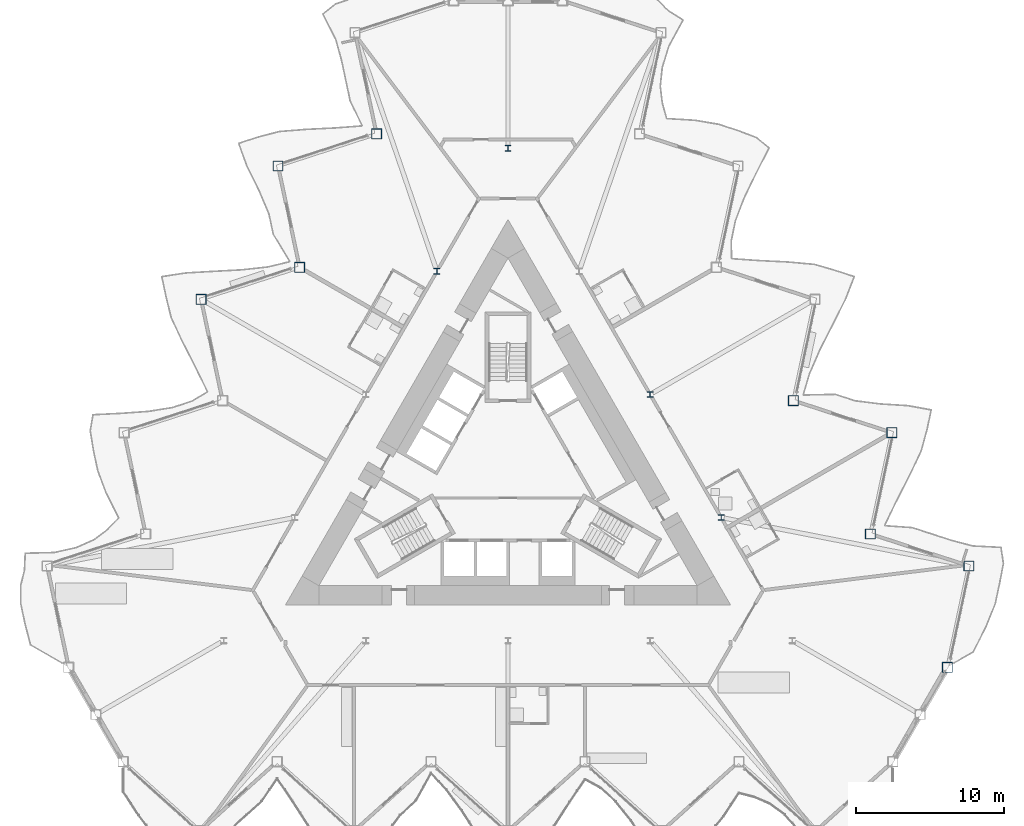
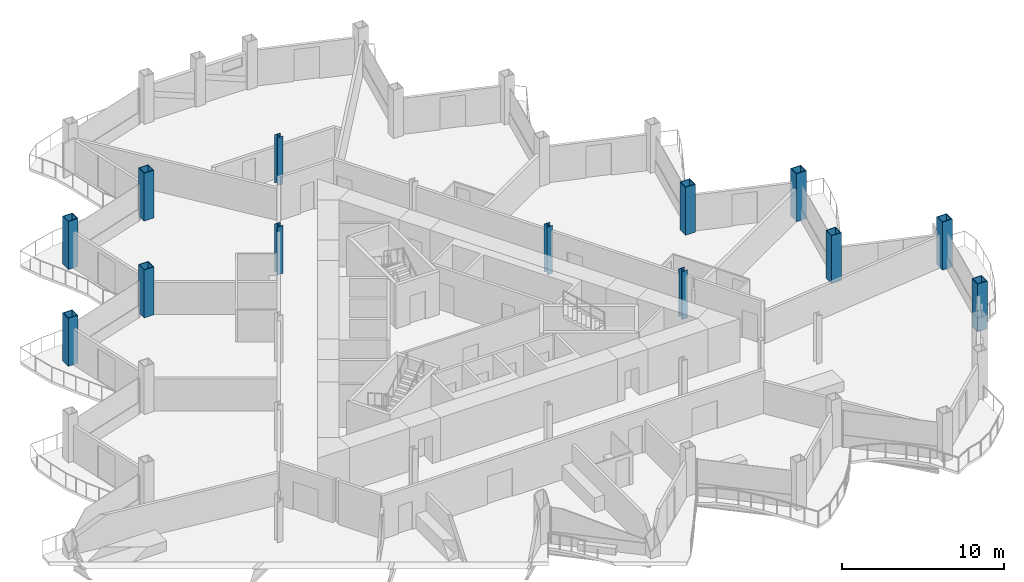
# One storey, part 2 of 24: 13 columns.
"""IFC4 building model written with IfcOpenShell, lengths in metres."""

from ifc_helpers import new_model, si_unit, direction, frame, origin, origin_2d, place, context, subcontext, project, spatial, hollow_rectangle, i_section, extrude, material, material_profile, profile_set, type_object, element, save


model = new_model("IFC4")

# Units and contexts
model_context = context("Model", 3, precision=1e-05, world=origin(), true_north=direction((0.0, 1.0)))
body_context = subcontext(model_context, "Body", "Model", "MODEL_VIEW")
ifc_project = project(units=[si_unit("LENGTHUNIT", "METRE"), si_unit("AREAUNIT", "SQUARE_METRE"), si_unit("VOLUMEUNIT", "CUBIC_METRE"), si_unit("PLANEANGLEUNIT", "RADIAN"), si_unit("MASSUNIT", "GRAM", prefix="KILO")], contexts=[model_context])

# Site, building, storey
site_placement = place(None, origin())
site = spatial("IfcSite", under=ifc_project, at=site_placement, CompositionType="ELEMENT")
building_placement = place(site_placement, origin())
building = spatial("IfcBuilding", under=site, at=building_placement, Name="Cormorant Prow Tower", CompositionType="ELEMENT")
storey_placement = place(building_placement, frame((0.0, 0.0, 274.199951171875)))
storey = spatial("IfcBuildingStorey", under=building, at=storey_placement, Name="L62", CompositionType="ELEMENT", Elevation=274.199951171875)

# Columns
ifc_material_1 = material(Name="Structural steel ASTM A572 Gr 50", Category="steel")
ifc_material_profile_1 = material_profile(ifc_material_1, hollow_rectangle(XDim=0.699951171875, YDim=0.699951171875, WallThickness=0.044921875, at=origin_2d()), Name="Box 700x700x45")
ifc_profile_set_1 = profile_set([ifc_material_profile_1], Name="Structural steel ASTM A572 Gr 50")
column_type_1 = type_object("IfcColumnType", Name="Perimeter box column 700x700x45", PredefinedType="COLUMN", material=ifc_profile_set_1)
for number, where, z_axis, x_axis, name in (
    (1, (29.611572265625, -12.858154296875, 0.0), (0.0, 0.0, 1.0), (1.0, 0.0, 0.0), "Perimeter column C5 at ENE00 L62"),
    (2, (31.063232421875, -6.029052734375, 0.0), (0.0, 0.0, 1.0), (1.0, 0.0, 0.0), "Perimeter column C5 at ENE01 L62"),
    (3, (24.42333984375, -3.871826171875, 0.0), (0.0, 0.0, 1.0), (1.0, 0.0, 0.0), "Perimeter column C5 at ENE02 L62"),
    (4, (25.875, 2.957275390625, 0.0), (0.0, 0.0, 1.0), (1.0, 0.0, 0.0), "Perimeter column C5 at ENE03 L62"),
    (5, (19.235107421875, 5.114501953125, 0.0), (0.0, 0.0, 1.0), (1.0, 0.0, 0.0), "Perimeter column C5 at ENE04 L62"),
    (6, (-8.858642578125, 23.087158203125, 0.0), (0.0, 0.0, 1.0), (1.0, 0.0, 0.0), "Perimeter column C5 at WNW02 L62"),
    (7, (-15.49853515625, 20.9296875, 0.0), (0.0, 0.0, 1.0), (1.0, 0.0, 0.0), "Perimeter column C5 at WNW03 L62"),
    (8, (-14.046875, 14.100830078125, 0.0), (0.0, 0.0, 1.0), (1.0, 0.0, 0.0), "Perimeter column C5 at WNW04 L62"),
    (9, (-20.686767578125, 11.943359375, 0.0), (0.0, 0.0, 1.0), (1.0, 0.0, 0.0), "Perimeter column C5 at WNW05 L62"),
):
    element("IfcColumn", number, at=place(storey_placement, frame(where, z_axis=z_axis, x_axis=x_axis)), inside=storey, type_object=column_type_1, Name=name, PredefinedType="COLUMN", context=body_context, shape_type="SweptSolid", body=[
        extrude(hollow_rectangle(XDim=0.699951171875, YDim=0.699951171875, WallThickness=0.044921875, at=origin_2d()), origin(), (0.0, 0.0, 1.0), 3.60009765625),
    ])
ifc_material_2 = material(Name="Structural steel ASTM A992 Gr 50", Category="steel")
ifc_material_profile_2 = material_profile(ifc_material_2, i_section(OverallWidth=0.39892578125, OverallDepth=0.393310546875, WebThickness=0.022705078125, FlangeThickness=0.03662109375, at=origin_2d()), Name="W14x193")
ifc_profile_set_2 = profile_set([ifc_material_profile_2], Name="Structural steel ASTM A992 Gr 50")
column_type_2 = type_object("IfcColumnType", Name="Ring column W14x193", PredefinedType="COLUMN", material=ifc_profile_set_2)
for number, where, z_axis, x_axis, name in (
    (10, (0.0, 22.12060546875, 0.0), (0.0, 0.0, 1.0), (1.0, 0.0, 0.0), "Ring column 1 L62"),
    (11, (-4.789306640625, 13.8251953125, 0.0), (0.0, 0.0, 1.0), (1.0, 0.0, 0.0), "Ring column 2 L62"),
    (12, (14.36767578125, -2.76513671875, 0.0), (0.0, 0.0, 1.0), (1.0, 0.0, 0.0), "Ring column 10 L62"),
    (13, (9.578369140625, 5.530029296875, 0.0), (0.0, 0.0, 1.0), (1.0, 0.0, 0.0), "Ring column 11 L62"),
):
    element("IfcColumn", number, at=place(storey_placement, frame(where, z_axis=z_axis, x_axis=x_axis)), inside=storey, type_object=column_type_2, Name=name, PredefinedType="COLUMN", context=body_context, shape_type="SweptSolid", body=[
        extrude(i_section(OverallWidth=0.39892578125, OverallDepth=0.393310546875, WebThickness=0.022705078125, FlangeThickness=0.03662109375, at=origin_2d()), origin(), (0.0, 0.0, 1.0), 3.60009765625),
    ])

save(model, "model.ifc")
